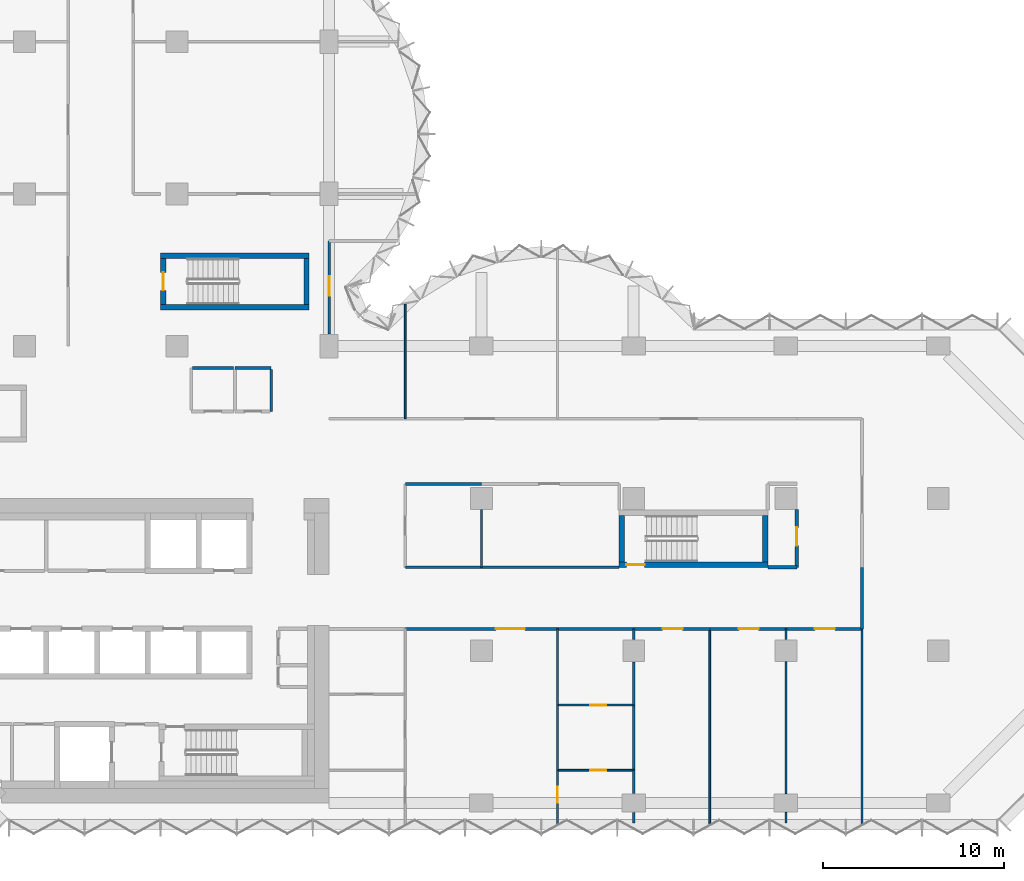
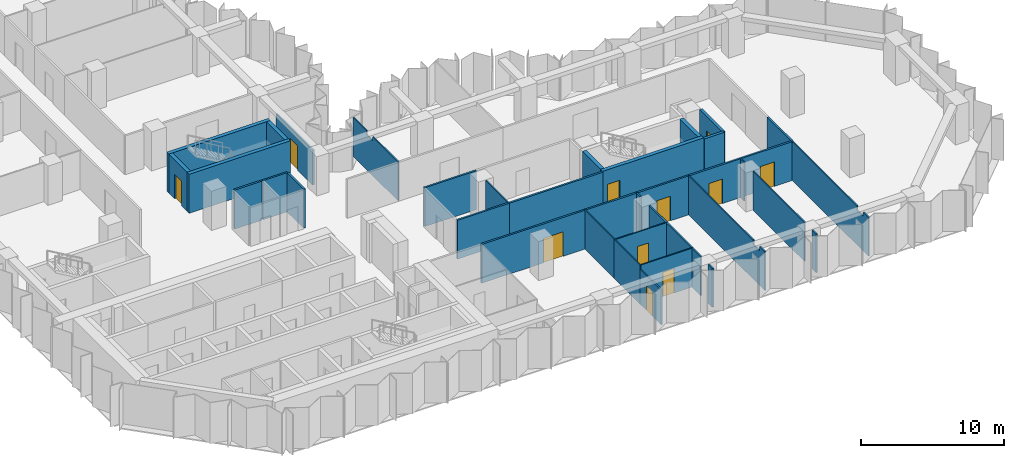
# One storey, part 9 of 13: 39 walls, 11 doors, 11 openings.
"""IFC4 building model written with IfcOpenShell, lengths in metres."""

import ifcopenshell
import ifcopenshell.guid

model = None  # the IFC model being written
_history = None  # IfcOwnerHistory: only IFC2X3 demands one
_inside = {}  # id of a spatial element -> (the spatial element, [elements in it])
_under = {}  # id of a project, library or spatial element -> (it, [spatial elements below it])
_declared = {}  # id of a project -> (the project, [libraries it declares])
_typed = {}  # id of a type object -> (the type object, [elements of that type])
_made_of = {}  # id of a material, layer set ... -> (it, [elements and type objects made of it])


def new_model(schema):
    """Start an empty IFC model of exactly this schema.

    Asked for "IFC4X3", IfcOpenShell would pick the latest addendum, in which some entities
    have other attributes; the version numbers below select the first issue.
    IFC2X3 requires an IfcOwnerHistory on every rooted entity: one is made here for all.
    """
    global model, _history
    if schema == "IFC4X3":
        model = ifcopenshell.file(schema_version=(4, 3, 0, 0))
    else:
        model = ifcopenshell.file(schema=schema)
    _inside.clear()
    _under.clear()
    _declared.clear()
    _typed.clear()
    _made_of.clear()
    _history = None
    if model.schema == "IFC2X3":
        org = make("IfcOrganization", Name="unknown")
        user = make(
            "IfcPersonAndOrganization",
            ThePerson=make("IfcPerson", FamilyName="unknown"),
            TheOrganization=org,
        )
        app = make(
            "IfcApplication",
            ApplicationDeveloper=org,
            Version="unknown",
            ApplicationFullName="unknown",
            ApplicationIdentifier="unknown",
        )
        _history = make(
            "IfcOwnerHistory",
            OwningUser=user,
            OwningApplication=app,
            ChangeAction="ADDED",
            CreationDate=0,
        )
    return model


def make(cls, **values):
    """One entity of the class cls with the attributes given. An attribute that is None is left unset."""
    return model.create_entity(
        cls, **{name: value for name, value in values.items() if value is not None}
    )


def rooted(cls, **values):
    """An entity with a GlobalId (a new one), such as an element, a storey or a relation."""
    return make(cls, GlobalId=ifcopenshell.guid.new(), OwnerHistory=_history, **values)


def si_unit(unit_type, name, prefix=None):
    """IfcSIUnit, for example si_unit("LENGTHUNIT", "METRE", prefix="MILLI")."""
    return make("IfcSIUnit", UnitType=unit_type, Prefix=prefix, Name=name)


def assignment(units):
    """IfcUnitAssignment: the units of a project."""
    return None if units is None else make("IfcUnitAssignment", Units=units)


def point(xyz):
    """IfcCartesianPoint."""
    return None if xyz is None else make("IfcCartesianPoint", Coordinates=xyz)


def direction(xyz):
    """IfcDirection."""
    return None if xyz is None else make("IfcDirection", DirectionRatios=xyz)


def frame(location, z_axis=None, x_axis=None):
    """IfcAxis2Placement3D, a coordinate frame: its origin and axes. An axis left out is left unset."""
    return make(
        "IfcAxis2Placement3D",
        Location=point(location),
        Axis=direction(z_axis),
        RefDirection=direction(x_axis),
    )


def frame_2d(location, x_axis=None):
    """IfcAxis2Placement2D, a coordinate frame in the plane: its origin and x axis."""
    return make(
        "IfcAxis2Placement2D", Location=point(location), RefDirection=direction(x_axis)
    )


def origin():
    """The frame at (0, 0, 0) with its axes left unset."""
    return frame((0.0, 0.0, 0.0))


def place(relative_to, where):
    """IfcLocalPlacement: puts the frame where relative to a parent placement (None: the world)."""
    return make(
        "IfcLocalPlacement", PlacementRelTo=relative_to, RelativePlacement=where
    )


def context(
    kind, dimensions, precision=None, world=None, true_north=None, identifier=None
):
    """IfcGeometricRepresentationContext, for example the 3D "Model" context."""
    return make(
        "IfcGeometricRepresentationContext",
        ContextIdentifier=identifier,
        ContextType=kind,
        CoordinateSpaceDimension=dimensions,
        Precision=precision,
        WorldCoordinateSystem=world,
        TrueNorth=true_north,
    )


def subcontext(parent, identifier, kind, view, scale=None):
    """IfcGeometricRepresentationSubContext, for example "Body" below "Model"."""
    return make(
        "IfcGeometricRepresentationSubContext",
        ContextIdentifier=identifier,
        ContextType=kind,
        ParentContext=parent,
        TargetScale=scale,
        TargetView=view,
    )


def project(units=None, contexts=None):
    """IfcProject with its units and contexts."""
    return rooted(
        "IfcProject",
        Name="project",
        RepresentationContexts=contexts,
        UnitsInContext=assignment(units),
    )


def spatial(cls, under=None, at=None, **own):
    """A site, building, storey or space (cls), placed at a placement, below another one or the project."""
    s = rooted(cls, ObjectPlacement=at, **own)
    if under is not None:
        _under.setdefault(under.id(), (under, []))[1].append(s)
    return s


def polyline(points):
    """IfcPolyline through the points."""
    return make("IfcPolyline", Points=[point(p) for p in points])


def profile(cls, at=None, kind="AREA", **sizes):
    """A parametric profile (cls). Its sizes go by their IFC names, for example OverallWidth=200.0."""
    return make(cls, ProfileType=kind, Position=at, **sizes)


def rectangle(**sizes):
    """IfcRectangleProfileDef."""
    return profile("IfcRectangleProfileDef", **sizes)


def outline(outer, holes=None, kind="AREA"):
    """IfcArbitraryClosedProfileDef: a profile drawn as a closed curve; with holes, ...WithVoids."""
    if holes is None:
        return make("IfcArbitraryClosedProfileDef", ProfileType=kind, OuterCurve=outer)
    return make(
        "IfcArbitraryProfileDefWithVoids",
        ProfileType=kind,
        OuterCurve=outer,
        InnerCurves=holes,
    )


def extrude(swept, where, along, depth):
    """IfcExtrudedAreaSolid: the profile swept, set in the frame where, extruded along a direction by depth."""
    return make(
        "IfcExtrudedAreaSolid",
        SweptArea=swept,
        Position=where,
        ExtrudedDirection=direction(along),
        Depth=depth,
    )


def shape(context_of_items, identifier, shape_type, items):
    """IfcShapeRepresentation: the items that make up one representation, for example the "Body"."""
    return make(
        "IfcShapeRepresentation",
        ContextOfItems=context_of_items,
        RepresentationIdentifier=identifier,
        RepresentationType=shape_type,
        Items=items,
    )


def material(Name=None, Category=None):
    """IfcMaterial."""
    return make("IfcMaterial", Name=Name, Category=Category)


def layer(
    of_material, thickness, ventilated=None, Name=None, Category=None, Priority=None
):
    """IfcMaterialLayer: one layer of a wall or slab, of a material (None: an air gap)."""
    return make(
        "IfcMaterialLayer",
        Material=of_material,
        LayerThickness=thickness,
        IsVentilated=ventilated,
        Name=Name,
        Category=Category,
        Priority=Priority,
    )


def layer_set(layers, Name=None):
    """IfcMaterialLayerSet."""
    return make("IfcMaterialLayerSet", MaterialLayers=layers, LayerSetName=Name)


def made_of(thing, what):
    """Note that an element or type object is made of a material, layer set ...; save() writes the relation."""
    if what is not None:
        _made_of.setdefault(what.id(), (what, []))[1].append(thing)
    return thing


def type_object(cls, material=None, **own):
    """A type object (cls), such as IfcWallType, which elements share."""
    return made_of(rooted(cls, **own), material)


def element(
    cls,
    number,
    at=None,
    inside=None,
    cuts=None,
    type_object=None,
    material=None,
    context=None,
    identifier="Body",
    shape_type=None,
    held_by="IfcProductDefinitionShape",
    body=None,
    shapes=None,
    **own,
):
    """One element of the class cls, such as IfcWall. Its Tag is "e" and its number.

    at: its placement. inside: the storey or other place that contains it. cuts: it is an
    opening in that element (IfcRelVoidsElement). A single representation is given by context,
    identifier, shape_type and body (its items); several are given by shapes. held_by: the class
    of the entity that holds the representations. save() writes the other relations.
    """
    e = rooted(cls, Tag="e%d" % number, ObjectPlacement=at, **own)
    if body is not None:
        shapes = [shape(context, identifier, shape_type, body)]
    if shapes is not None:
        e.Representation = make(held_by, Representations=shapes)
    if inside is not None:
        _inside.setdefault(inside.id(), (inside, []))[1].append(e)
    if cuts is not None:
        rooted(
            "IfcRelVoidsElement", RelatingBuildingElement=cuts, RelatedOpeningElement=e
        )
    if type_object is not None:
        _typed.setdefault(type_object.id(), (type_object, []))[1].append(e)
    return made_of(e, material)


def fill(opening, filler):
    """IfcRelFillsElement: the door or window that sits in an opening."""
    return rooted(
        "IfcRelFillsElement",
        RelatingOpeningElement=opening,
        RelatedBuildingElement=filler,
    )


def aggregate(whole, parts):
    """IfcRelAggregates: a whole, such as a stair, and the parts it consists of."""
    return rooted("IfcRelAggregates", RelatingObject=whole, RelatedObjects=parts)


def save(model, path):
    """Write the relations noted so far, then the file.

    IfcRelAggregates (storeys below a building ...), IfcRelContainedInSpatialStructure (elements
    in a storey), IfcRelDefinesByType, IfcRelAssociatesMaterial and IfcRelDeclares: one each for
    every whole, place, type object, material and project.
    """
    for whole, parts in _under.values():
        aggregate(whole, parts)
    for where, things in _inside.values():
        rooted(
            "IfcRelContainedInSpatialStructure",
            RelatedElements=things,
            RelatingStructure=where,
        )
    for kind, things in _typed.values():
        rooted("IfcRelDefinesByType", RelatedObjects=things, RelatingType=kind)
    for what, things in _made_of.values():
        rooted("IfcRelAssociatesMaterial", RelatedObjects=things, RelatingMaterial=what)
    for by, libraries in _declared.values():
        rooted("IfcRelDeclares", RelatingContext=by, RelatedDefinitions=libraries)
    model.write(path)


model = new_model("IFC4")

# Units and contexts
model_context = context("Model", 3, precision=1e-05, world=origin(), true_north=direction((0.0, 1.0)))
body_context = subcontext(model_context, "Body", "Model", "MODEL_VIEW")
ifc_project = project(units=[si_unit("LENGTHUNIT", "METRE"), si_unit("AREAUNIT", "SQUARE_METRE"), si_unit("VOLUMEUNIT", "CUBIC_METRE"), si_unit("PLANEANGLEUNIT", "RADIAN"), si_unit("MASSUNIT", "GRAM", prefix="KILO")], contexts=[model_context])

# Site, building, storey
site_placement = place(None, origin())
site = spatial("IfcSite", under=ifc_project, at=site_placement, CompositionType="ELEMENT")
building_placement = place(site_placement, origin())
building = spatial("IfcBuilding", under=site, at=building_placement, Name="Brevane Broadcast Tower", CompositionType="ELEMENT")
storey_placement = place(building_placement, frame((0.0, 0.0, 106.10009765625)))
storey = spatial("IfcBuildingStorey", under=building, at=storey_placement, Name="L25", CompositionType="ELEMENT", Elevation=106.10009765625)

# Walls
ifc_material_1 = material(Name="Gypsum board on steel studs", Category="steel")
ifc_layer_1 = layer(ifc_material_1, 0.14990234375)
ifc_layer_set_1 = layer_set([ifc_layer_1], Name="Core fire partition 150 mm")
wall_type_1 = type_object("IfcWallType", Name="Core fire partition 150 mm", PredefinedType="PARTITIONING", material=ifc_layer_set_1)
wall_1_placement = place(storey_placement, frame((20.0, 24.0, 0.0), z_axis=(0.0, 0.0, 1.0), x_axis=(1.0, 0.0, 0.0)))
element("IfcWall", 1, at=wall_1_placement, inside=storey, type_object=wall_type_1, Name="L25 partition wall P15", PredefinedType="PARTITIONING", context=body_context, shape_type="SweptSolid", body=[
    extrude(rectangle(XDim=2.0, YDim=0.14990234375, at=frame_2d((1.0, 0.0))), origin(), (0.0, 0.0, 1.0), 3.349853515625),
])
wall_2_placement = place(storey_placement, frame((22.0, 23.925048828125, 0.0), z_axis=(0.0, 0.0, 1.0), x_axis=(0.0, -1.0, 0.0)))
element("IfcWall", 2, at=wall_2_placement, inside=storey, type_object=wall_type_1, Name="L25 partition wall P16", PredefinedType="PARTITIONING", context=body_context, shape_type="SweptSolid", body=[
    extrude(rectangle(XDim=2.324951171875, YDim=0.14990234375, at=frame_2d((1.16259765625, 0.0))), origin(), (0.0, 0.0, 1.0), 3.349853515625),
])
wall_3_placement = place(storey_placement, frame((17.675048828125, 24.0, 0.0), z_axis=(0.0, 0.0, 1.0), x_axis=(1.0, 0.0, 0.0)))
element("IfcWall", 3, at=wall_3_placement, inside=storey, type_object=wall_type_1, Name="L25 partition wall P21", PredefinedType="PARTITIONING", context=body_context, shape_type="SweptSolid", body=[
    extrude(rectangle(XDim=2.25, YDim=0.14990234375, at=frame_2d((1.125, 0.0))), origin(), (0.0, 0.0, 1.0), 3.349853515625),
])
ifc_material_2 = material(Name="Concrete C60/75", Category="concrete")
ifc_layer_2 = layer(ifc_material_2, 0.300048828125)
ifc_layer_set_2 = layer_set([ifc_layer_2], Name="Core wall 300 mm C60/75")
wall_type_2 = type_object("IfcWallType", Name="Core wall 300 mm C60/75", PredefinedType="SHEAR", material=ifc_layer_set_2)
for number, where, z_axis, x_axis, name in (
    (4, (15.89990234375, 27.35009765625, 0.0), (0.0, 0.0, 1.0), (1.0, 0.0, 0.0), "L25 stair wall ST-3-S"),
    (5, (15.89990234375, 30.199951171875, 0.0), (0.0, 0.0, 1.0), (1.0, 0.0, 0.0), "L25 stair wall ST-3-N"),
):
    element("IfcWall", number, at=place(storey_placement, frame(where, z_axis=z_axis, x_axis=x_axis)), inside=storey, type_object=wall_type_2, Name=name, PredefinedType="SHEAR", context=body_context, shape_type="SweptSolid", body=[
        extrude(rectangle(XDim=8.2001953125, YDim=0.300048828125, at=frame_2d((4.10009765625, 0.0))), origin(), (0.0, 0.0, 1.0), 3.349853515625),
    ])

# Wall, opening, door
wall_4_placement = place(storey_placement, frame((16.050048828125, 27.5, 0.0), z_axis=(0.0, 0.0, 1.0), x_axis=(0.0, 1.0, 0.0)))
wall_4 = element("IfcWall", 6, at=wall_4_placement, inside=storey, type_object=wall_type_2, Name="L25 stair wall ST-3-W", PredefinedType="SHEAR", context=body_context, shape_type="SweptSolid", body=[
    extrude(rectangle(XDim=2.550048828125, YDim=0.300048828125, at=frame_2d((1.27490234375, 0.0))), origin(), (0.0, 0.0, 1.0), 3.349853515625),
])
opening_1_placement = place(wall_4_placement, frame((0.77490234375, 0.0, 0.0)))
opening_1 = element("IfcOpeningElement", 7, at=opening_1_placement, cuts=wall_4, Name="Opening L25-K14", PredefinedType="OPENING", context=body_context, shape_type="SweptSolid", body=[
    extrude(rectangle(XDim=1.0, YDim=2.10009765625, at=frame_2d((0.5, 1.050048828125))), frame((0.0, 0.159912109375, 0.0), z_axis=(0.0, -1.0, 0.0), x_axis=(1.0, 0.0, 0.0)), (0.0, 0.0, 1.0), 0.320068359375),
])
ifc_material_3 = material(Name="Steel", Category="steel")
door_type_1 = type_object("IfcDoorType", Name="Stair door 1000 x 2100", OperationType="SINGLE_SWING_LEFT", PredefinedType="DOOR", material=ifc_material_3)
door_1_placement = place(opening_1_placement, origin())
door_1 = element("IfcDoor", 8, at=door_1_placement, inside=storey, type_object=door_type_1, Name="Door L25-K14", OperationType="SINGLE_SWING_RIGHT", OverallHeight=2.10009765625, OverallWidth=1.0, PredefinedType="DOOR", context=body_context, shape_type="SweptSolid", body=[
    extrude(rectangle(XDim=1.0, YDim=2.10009765625, at=frame_2d((0.5, 1.050048828125))), frame((0.0, 0.02490234375, 0.0), z_axis=(0.0, -1.0, 0.0), x_axis=(1.0, 0.0, 0.0)), (0.0, 0.0, 1.0), 0.050048828125),
])
fill(opening_1, door_1)

# Wall
wall_5_placement = place(storey_placement, frame((23.949951171875, 27.5, 0.0), z_axis=(0.0, 0.0, 1.0), x_axis=(0.0, 1.0, 0.0)))
element("IfcWall", 9, at=wall_5_placement, inside=storey, type_object=wall_type_2, Name="L25 stair wall ST-3-E", PredefinedType="SHEAR", context=body_context, shape_type="SweptSolid", body=[
    extrude(rectangle(XDim=2.550048828125, YDim=0.300048828125, at=frame_2d((1.27490234375, 0.0))), origin(), (0.0, 0.0, 1.0), 3.349853515625),
])

# Wall, opening, door
wall_6_placement = place(storey_placement, frame((49.39990234375, 13.14990234375, 0.0), z_axis=(0.0, 0.0, 1.0), x_axis=(-1.0, 0.0, 0.0)))
wall_6 = element("IfcWall", 10, at=wall_6_placement, inside=storey, type_object=wall_type_2, Name="L25 stair wall ST-4-S", PredefinedType="SHEAR", context=body_context, shape_type="SweptSolid", body=[
    extrude(rectangle(XDim=8.199951171875, YDim=0.300048828125, at=frame_2d((4.10009765625, 0.0))), origin(), (0.0, 0.0, 1.0), 3.349853515625),
])
opening_2_placement = place(wall_6_placement, frame((6.800048828125, 0.0, 0.0)))
opening_2 = element("IfcOpeningElement", 11, at=opening_2_placement, cuts=wall_6, Name="Opening L25-K15", PredefinedType="OPENING", context=body_context, shape_type="SweptSolid", body=[
    extrude(rectangle(XDim=1.0, YDim=2.10009765625, at=frame_2d((0.5, 1.050048828125))), frame((0.0, 0.159912109375, 0.0), z_axis=(0.0, -1.0, 0.0), x_axis=(1.0, 0.0, 0.0)), (0.0, 0.0, 1.0), 0.320068359375),
])
door_2_placement = place(opening_2_placement, origin())
door_2 = element("IfcDoor", 12, at=door_2_placement, inside=storey, type_object=door_type_1, Name="Door L25-K15", OperationType="SINGLE_SWING_LEFT", OverallHeight=2.10009765625, OverallWidth=1.0, PredefinedType="DOOR", context=body_context, shape_type="SweptSolid", body=[
    extrude(rectangle(XDim=1.0, YDim=2.10009765625, at=frame_2d((0.5, 1.050048828125))), frame((0.0, 0.02490234375, 0.0), z_axis=(0.0, -1.0, 0.0), x_axis=(1.0, 0.0, 0.0)), (0.0, 0.0, 1.0), 0.050048828125),
])
fill(opening_2, door_2)

# Walls
for number, where, z_axis, x_axis, name in (
    (13, (41.35009765625, 13.300048828125, 0.0), (0.0, 0.0, 1.0), (0.0, 1.0, 0.0), "L25 stair wall ST-4-W"),
    (14, (49.25, 13.300048828125, 0.0), (0.0, 0.0, 1.0), (0.0, 1.0, 0.0), "L25 stair wall ST-4-E"),
):
    element("IfcWall", number, at=place(storey_placement, frame(where, z_axis=z_axis, x_axis=x_axis)), inside=storey, type_object=wall_type_2, Name=name, PredefinedType="SHEAR", context=body_context, shape_type="SweptSolid", body=[
        extrude(rectangle(XDim=2.550048828125, YDim=0.300048828125, at=frame_2d((1.27490234375, 0.0))), origin(), (0.0, 0.0, 1.0), 3.349853515625),
    ])
ifc_material_4 = material(Name="Gypsum board partition")
ifc_layer_3 = layer(ifc_material_4, 0.10009765625)
ifc_layer_set_3 = layer_set([ifc_layer_3], Name="PARTITION 100 STUD")
wall_type_3 = type_object("IfcWallType", Name="PARTITION 100 STUD", PredefinedType="PARTITIONING", material=ifc_layer_set_3)
wall_7_placement = place(storey_placement, frame((29.39990234375, 27.510986328125, 0.0), z_axis=(0.0, 0.0, 1.0), x_axis=(0.0, -1.0, 0.0)))
element("IfcWall", 15, at=wall_7_placement, inside=storey, type_object=wall_type_3, Name="Partition G07-004", PredefinedType="PARTITIONING", context=body_context, shape_type="SweptSolid", body=[
    extrude(outline(polyline([(0.0, 0.0), (6.31103515625, 0.0), (6.31103515625, 3.329833984375), (2.760986328125, 3.329833984375), (2.759033203125, 2.97998046875), (1.863037109375, 2.97998046875), (1.861083984375, 3.329833984375), (0.236083984375, 3.329833984375), (0.0, 3.329833984375), (0.0, 0.0)])), frame((0.0, 0.050048828125, 0.0), z_axis=(0.0, -1.0, 0.0), x_axis=(1.0, 0.0, 0.0)), (0.0, 0.0, 1.0), 0.10009765625),
])
wall_8_placement = place(storey_placement, frame((54.60009765625, -1.174072265625, 0.0), z_axis=(0.0, 0.0, 1.0), x_axis=(0.0, 1.0, 0.0)))
element("IfcWall", 16, at=wall_8_placement, inside=storey, type_object=wall_type_3, Name="Partition G07-017", PredefinedType="PARTITIONING", context=body_context, shape_type="SweptSolid", body=[
    extrude(outline(polyline([(0.0, 0.0), (10.774169921875, 0.0), (10.77392578125, 3.329833984375), (1.6240234375, 3.329833984375), (1.6220703125, 2.97998046875), (0.72607421875, 2.97998046875), (0.72412109375, 3.329833984375), (0.073974609375, 3.329833984375), (0.0, 3.329833984375), (0.0, 0.0)])), frame((0.0, 0.050048828125, 0.0), z_axis=(0.0, -1.0, 0.0), x_axis=(1.0, 0.0, 0.0)), (0.0, 0.0, 1.0), 0.10009765625),
])
wall_9_placement = place(storey_placement, frame((33.60009765625, 16.179931640625, 0.0), z_axis=(0.0, 0.0, 1.0), x_axis=(0.0, -1.0, 0.0)))
element("IfcWall", 17, at=wall_9_placement, inside=storey, type_object=wall_type_3, Name="Partition G07-027", PredefinedType="PARTITIONING", context=body_context, shape_type="SweptSolid", body=[
    extrude(rectangle(XDim=3.179931640625, YDim=0.10009765625, at=frame_2d((1.58984375, 0.0))), origin(), (0.0, 0.0, 1.0), 3.329833984375),
])

# Wall, opening, door
wall_10_placement = place(storey_placement, frame((37.800048828125, 1.800048828125, 0.0), z_axis=(0.0, 0.0, 1.0), x_axis=(0.0, -1.0, 0.0)))
wall_10 = element("IfcWall", 18, at=wall_10_placement, inside=storey, type_object=wall_type_3, Name="Partition G07-028", PredefinedType="PARTITIONING", context=body_context, shape_type="SweptSolid", body=[
    extrude(rectangle(XDim=2.97412109375, YDim=0.10009765625, at=frame_2d((1.487060546875, 0.0))), origin(), (0.0, 0.0, 1.0), 2.97998046875),
])
opening_3_placement = place(wall_10_placement, frame((0.89990234375, 0.0, 0.0)))
opening_3 = element("IfcOpeningElement", 19, at=opening_3_placement, cuts=wall_10, Name="Opening D14-007", PredefinedType="OPENING", context=body_context, shape_type="SweptSolid", body=[
    extrude(rectangle(XDim=0.89990234375, YDim=2.10009765625, at=frame_2d((0.449951171875, 1.050048828125))), frame((0.0, 0.06005859375, 0.0), z_axis=(0.0, -1.0, 0.0), x_axis=(1.0, 0.0, 0.0)), (0.0, 0.0, 1.0), 0.1201171875),
])
ifc_material_5 = material(Name="Timber door leaf", Category="wood")
door_type_2 = type_object("IfcDoorType", Name="DOOR SINGLE 900 INTERNAL", OperationType="SINGLE_SWING_LEFT", PredefinedType="DOOR", material=ifc_material_5)
door_3_placement = place(opening_3_placement, origin())
door_3 = element("IfcDoor", 20, at=door_3_placement, inside=storey, type_object=door_type_2, Name="Door D14-007", OperationType="SINGLE_SWING_LEFT", OverallHeight=2.10009765625, OverallWidth=0.89990234375, PredefinedType="DOOR", context=body_context, shape_type="SweptSolid", body=[
    extrude(rectangle(XDim=0.89990234375, YDim=2.10009765625, at=frame_2d((0.449951171875, 1.050048828125))), frame((0.0, 0.02490234375, 0.0), z_axis=(0.0, -1.0, 0.0), x_axis=(1.0, 0.0, 0.0)), (0.0, 0.0, 1.0), 0.050048828125),
])
fill(opening_3, door_3)

# Walls
wall_11_placement = place(storey_placement, frame((37.800048828125, 5.39990234375, 0.0), z_axis=(0.0, 0.0, 1.0), x_axis=(0.0, -1.0, 0.0)))
element("IfcWall", 21, at=wall_11_placement, inside=storey, type_object=wall_type_3, Name="Partition G07-029", PredefinedType="PARTITIONING", context=body_context, shape_type="SweptSolid", body=[
    extrude(rectangle(XDim=3.599853515625, YDim=0.10009765625, at=frame_2d((1.7998046875, 0.0))), origin(), (0.0, 0.0, 1.0), 3.329833984375),
])
wall_12_placement = place(storey_placement, frame((37.800048828125, 9.60009765625, 0.0), z_axis=(0.0, 0.0, 1.0), x_axis=(0.0, -1.0, 0.0)))
element("IfcWall", 22, at=wall_12_placement, inside=storey, type_object=wall_type_3, Name="Partition G07-030", PredefinedType="PARTITIONING", context=body_context, shape_type="SweptSolid", body=[
    extrude(rectangle(XDim=4.2001953125, YDim=0.10009765625, at=frame_2d((2.10009765625, 0.0))), origin(), (0.0, 0.0, 1.0), 3.329833984375),
])

# Wall, opening, door
wall_13_placement = place(storey_placement, frame((37.800048828125, 1.800048828125, 0.0), z_axis=(0.0, 0.0, 1.0), x_axis=(1.0, 0.0, 0.0)))
wall_13 = element("IfcWall", 23, at=wall_13_placement, inside=storey, type_object=wall_type_3, Name="Partition G07-034", PredefinedType="PARTITIONING", context=body_context, shape_type="SweptSolid", body=[
    extrude(rectangle(XDim=4.199951171875, YDim=0.10009765625, at=frame_2d((2.10009765625, 0.0))), origin(), (0.0, 0.0, 1.0), 3.329833984375),
])
opening_4_placement = place(wall_13_placement, frame((1.800048828125, 0.0, 0.0)))
opening_4 = element("IfcOpeningElement", 24, at=opening_4_placement, cuts=wall_13, Name="Opening D14-008", PredefinedType="OPENING", context=body_context, shape_type="SweptSolid", body=[
    extrude(rectangle(XDim=0.89990234375, YDim=2.10009765625, at=frame_2d((0.449951171875, 1.050048828125))), frame((0.0, 0.06005859375, 0.0), z_axis=(0.0, -1.0, 0.0), x_axis=(1.0, 0.0, 0.0)), (0.0, 0.0, 1.0), 0.1201171875),
])
door_4_placement = place(opening_4_placement, origin())
door_4 = element("IfcDoor", 25, at=door_4_placement, inside=storey, type_object=door_type_2, Name="Door D14-008", OperationType="SINGLE_SWING_LEFT", OverallHeight=2.10009765625, OverallWidth=0.89990234375, PredefinedType="DOOR", context=body_context, shape_type="SweptSolid", body=[
    extrude(rectangle(XDim=0.89990234375, YDim=2.10009765625, at=frame_2d((0.449951171875, 1.050048828125))), frame((0.0, 0.02490234375, 0.0), z_axis=(0.0, -1.0, 0.0), x_axis=(1.0, 0.0, 0.0)), (0.0, 0.0, 1.0), 0.050048828125),
])
fill(opening_4, door_4)

wall_14_placement = place(storey_placement, frame((37.800048828125, 5.39990234375, 0.0), z_axis=(0.0, 0.0, 1.0), x_axis=(1.0, 0.0, 0.0)))
wall_14 = element("IfcWall", 26, at=wall_14_placement, inside=storey, type_object=wall_type_3, Name="Partition G07-037", PredefinedType="PARTITIONING", context=body_context, shape_type="SweptSolid", body=[
    extrude(rectangle(XDim=4.199951171875, YDim=0.10009765625, at=frame_2d((2.10009765625, 0.0))), origin(), (0.0, 0.0, 1.0), 3.329833984375),
])
opening_5_placement = place(wall_14_placement, frame((1.800048828125, 0.0, 0.0)))
opening_5 = element("IfcOpeningElement", 27, at=opening_5_placement, cuts=wall_14, Name="Opening D14-009", PredefinedType="OPENING", context=body_context, shape_type="SweptSolid", body=[
    extrude(rectangle(XDim=0.89990234375, YDim=2.10009765625, at=frame_2d((0.449951171875, 1.050048828125))), frame((0.0, 0.06005859375, 0.0), z_axis=(0.0, -1.0, 0.0), x_axis=(1.0, 0.0, 0.0)), (0.0, 0.0, 1.0), 0.1201171875),
])
door_5_placement = place(opening_5_placement, origin())
door_5 = element("IfcDoor", 28, at=door_5_placement, inside=storey, type_object=door_type_2, Name="Door D14-009", OperationType="SINGLE_SWING_LEFT", OverallHeight=2.10009765625, OverallWidth=0.89990234375, PredefinedType="DOOR", context=body_context, shape_type="SweptSolid", body=[
    extrude(rectangle(XDim=0.89990234375, YDim=2.10009765625, at=frame_2d((0.449951171875, 1.050048828125))), frame((0.0, 0.02490234375, 0.0), z_axis=(0.0, -1.0, 0.0), x_axis=(1.0, 0.0, 0.0)), (0.0, 0.0, 1.0), 0.050048828125),
])
fill(opening_5, door_5)

# Walls
wall_15_placement = place(storey_placement, frame((46.199951171875, 9.60009765625, 0.0), z_axis=(0.0, 0.0, 1.0), x_axis=(0.0, -1.0, 0.0)))
element("IfcWall", 29, at=wall_15_placement, inside=storey, type_object=wall_type_3, Name="Partition G07-043", PredefinedType="PARTITIONING", context=body_context, shape_type="SweptSolid", body=[
    extrude(outline(polyline([(0.0, 0.0), (10.774169921875, 0.0), (10.77392578125, 3.329833984375), (10.699951171875, 3.329833984375), (10.050048828125, 3.329833984375), (10.048095703125, 2.97998046875), (9.152099609375, 2.97998046875), (9.14990234375, 3.329833984375), (0.0, 3.329833984375), (0.0, 0.0)])), frame((0.0, 0.050048828125, 0.0), z_axis=(0.0, -1.0, 0.0), x_axis=(1.0, 0.0, 0.0)), (0.0, 0.0, 1.0), 0.10009765625),
])
wall_16_placement = place(storey_placement, frame((50.39990234375, 9.60009765625, 0.0), z_axis=(0.0, 0.0, 1.0), x_axis=(0.0, -1.0, 0.0)))
element("IfcWall", 30, at=wall_16_placement, inside=storey, type_object=wall_type_3, Name="Partition G07-044", PredefinedType="PARTITIONING", context=body_context, shape_type="SweptSolid", body=[
    extrude(rectangle(XDim=0.580078125, YDim=0.10009765625, at=frame_2d((0.2900390625, 0.0))), origin(), (0.0, 0.0, 1.0), 3.329833984375),
])
wall_17_placement = place(storey_placement, frame((50.39990234375, 7.780029296875, 0.0), z_axis=(0.0, 0.0, 1.0), x_axis=(0.0, -1.0, 0.0)))
element("IfcWall", 31, at=wall_17_placement, inside=storey, type_object=wall_type_3, Name="Partition G07-045", PredefinedType="PARTITIONING", context=body_context, shape_type="SweptSolid", body=[
    extrude(rectangle(XDim=7.260009765625, YDim=0.10009765625, at=frame_2d((3.6298828125, 0.0))), origin(), (0.0, 0.0, 1.0), 3.329833984375),
])
wall_18_placement = place(storey_placement, frame((50.39990234375, -0.52001953125, 0.0), z_axis=(0.0, 0.0, 1.0), x_axis=(0.0, -1.0, 0.0)))
element("IfcWall", 32, at=wall_18_placement, inside=storey, type_object=wall_type_3, Name="Partition G07-046", PredefinedType="PARTITIONING", context=body_context, shape_type="SweptSolid", body=[
    extrude(rectangle(XDim=0.580078125, YDim=0.10009765625, at=frame_2d((0.2900390625, 0.0))), origin(), (0.0, 0.0, 1.0), 3.329833984375),
])
ifc_layer_4 = layer(ifc_material_4, 0.125)
ifc_layer_set_4 = layer_set([ifc_layer_4], Name="PARTITION 125 ACOUSTIC")
wall_type_4 = type_object("IfcWallType", Name="PARTITION 125 ACOUSTIC", PredefinedType="PARTITIONING", material=ifc_layer_set_4)
wall_19_placement = place(storey_placement, frame((42.0, 1.800048828125, 0.0), z_axis=(0.0, 0.0, 1.0), x_axis=(0.0, -1.0, 0.0)))
element("IfcWall", 33, at=wall_19_placement, inside=storey, type_object=wall_type_4, Name="Partition G07-035", PredefinedType="PARTITIONING", context=body_context, shape_type="SweptSolid", body=[
    extrude(rectangle(XDim=1.280029296875, YDim=0.125, at=frame_2d((0.64013671875, 0.0))), origin(), (0.0, 0.0, 1.0), 3.329833984375),
])
wall_20_placement = place(storey_placement, frame((42.0, -0.52001953125, 0.0), z_axis=(0.0, 0.0, 1.0), x_axis=(0.0, -1.0, 0.0)))
element("IfcWall", 34, at=wall_20_placement, inside=storey, type_object=wall_type_4, Name="Partition G07-036", PredefinedType="PARTITIONING", context=body_context, shape_type="SweptSolid", body=[
    extrude(rectangle(XDim=0.580078125, YDim=0.125, at=frame_2d((0.2900390625, 0.0))), origin(), (0.0, 0.0, 1.0), 3.329833984375),
])
wall_21_placement = place(storey_placement, frame((42.0, 5.39990234375, 0.0), z_axis=(0.0, 0.0, 1.0), x_axis=(0.0, -1.0, 0.0)))
element("IfcWall", 35, at=wall_21_placement, inside=storey, type_object=wall_type_4, Name="Partition G07-038", PredefinedType="PARTITIONING", context=body_context, shape_type="SweptSolid", body=[
    extrude(rectangle(XDim=3.599853515625, YDim=0.125, at=frame_2d((1.7998046875, 0.0))), origin(), (0.0, 0.0, 1.0), 3.329833984375),
])
wall_22_placement = place(storey_placement, frame((42.0, 9.60009765625, 0.0), z_axis=(0.0, 0.0, 1.0), x_axis=(0.0, -1.0, 0.0)))
element("IfcWall", 36, at=wall_22_placement, inside=storey, type_object=wall_type_4, Name="Partition G07-039", PredefinedType="PARTITIONING", context=body_context, shape_type="SweptSolid", body=[
    extrude(rectangle(XDim=0.580078125, YDim=0.125, at=frame_2d((0.2900390625, 0.0))), origin(), (0.0, 0.0, 1.0), 3.329833984375),
])
wall_23_placement = place(storey_placement, frame((42.0, 7.780029296875, 0.0), z_axis=(0.0, 0.0, 1.0), x_axis=(0.0, -1.0, 0.0)))
element("IfcWall", 37, at=wall_23_placement, inside=storey, type_object=wall_type_4, Name="Partition G07-040", PredefinedType="PARTITIONING", context=body_context, shape_type="SweptSolid", body=[
    extrude(rectangle(XDim=2.380126953125, YDim=0.125, at=frame_2d((1.18994140625, 0.0))), origin(), (0.0, 0.0, 1.0), 3.329833984375),
])

# Wall, opening, door
ifc_layer_5 = layer(ifc_material_4, 0.14990234375)
ifc_layer_set_5 = layer_set([ifc_layer_5], Name="PARTITION 150 EI 60")
wall_type_5 = type_object("IfcWallType", Name="PARTITION 150 EI 60", PredefinedType="PARTITIONING", material=ifc_layer_set_5)
wall_24_placement = place(storey_placement, frame((25.199951171875, 31.0, 0.0), z_axis=(0.0, 0.0, 1.0), x_axis=(0.0, -1.0, 0.0)))
wall_24 = element("IfcWall", 38, at=wall_24_placement, inside=storey, type_object=wall_type_5, Name="Partition G07-005", PredefinedType="PARTITIONING", context=body_context, shape_type="SweptSolid", body=[
    extrude(outline(polyline([(0.0, 0.0), (5.1298828125, 0.0), (5.1298828125, 2.97998046875), (0.0, 2.97998046875), (0.0, 0.0)])), frame((0.0, 0.074951171875, 0.0), z_axis=(0.0, -1.0, 0.0), x_axis=(1.0, 0.0, 0.0)), (0.0, 0.0, 1.0), 0.14990234375),
])
opening_6_placement = place(wall_24_placement, frame((1.929931640625, 0.0, 0.0)))
opening_6 = element("IfcOpeningElement", 39, at=opening_6_placement, cuts=wall_24, Name="Opening D14-001", PredefinedType="OPENING", context=body_context, shape_type="SweptSolid", body=[
    extrude(rectangle(XDim=1.10009765625, YDim=2.10009765625, at=frame_2d((0.550048828125, 1.050048828125))), frame((0.0, 0.0849609375, 0.0), z_axis=(0.0, -1.0, 0.0), x_axis=(1.0, 0.0, 0.0)), (0.0, 0.0, 1.0), 0.169921875),
])
ifc_material_6 = material(Name="Fire-rated timber door leaf", Category="wood")
door_type_3 = type_object("IfcDoorType", Name="DOOR SINGLE 1100 FD30S", OperationType="SINGLE_SWING_LEFT", PredefinedType="DOOR", material=ifc_material_6)
door_6_placement = place(opening_6_placement, origin())
door_6 = element("IfcDoor", 40, at=door_6_placement, inside=storey, type_object=door_type_3, Name="Door D14-001", OperationType="SINGLE_SWING_RIGHT", OverallHeight=2.10009765625, OverallWidth=1.10009765625, PredefinedType="DOOR", context=body_context, shape_type="SweptSolid", body=[
    extrude(rectangle(XDim=1.10009765625, YDim=2.10009765625, at=frame_2d((0.550048828125, 1.050048828125))), frame((0.0, 0.02490234375, 0.0), z_axis=(0.0, -1.0, 0.0), x_axis=(1.0, 0.0, 0.0)), (0.0, 0.0, 1.0), 0.050048828125),
])
fill(opening_6, door_6)

# Walls
wall_25_placement = place(storey_placement, frame((54.60009765625, 13.0, 0.0), z_axis=(0.0, 0.0, 1.0), x_axis=(0.0, -1.0, 0.0)))
element("IfcWall", 41, at=wall_25_placement, inside=storey, type_object=wall_type_5, Name="Partition G07-007", PredefinedType="PARTITIONING", context=body_context, shape_type="SweptSolid", body=[
    extrude(rectangle(XDim=3.39990234375, YDim=0.14990234375, at=frame_2d((1.699951171875, 0.0))), origin(), (0.0, 0.0, 1.0), 3.329833984375),
])
wall_26_placement = place(storey_placement, frame((29.39990234375, 13.0, 0.0), z_axis=(0.0, 0.0, 1.0), x_axis=(1.0, 0.0, 0.0)))
element("IfcWall", 42, at=wall_26_placement, inside=storey, type_object=wall_type_5, Name="Partition G07-008", PredefinedType="PARTITIONING", context=body_context, shape_type="SweptSolid", body=[
    extrude(rectangle(XDim=4.2001953125, YDim=0.14990234375, at=frame_2d((2.10009765625, 0.0))), origin(), (0.0, 0.0, 1.0), 3.329833984375),
])
wall_27_placement = place(storey_placement, frame((33.60009765625, 13.0, 0.0), z_axis=(0.0, 0.0, 1.0), x_axis=(1.0, 0.0, 0.0)))
element("IfcWall", 43, at=wall_27_placement, inside=storey, type_object=wall_type_5, Name="Partition G07-009", PredefinedType="PARTITIONING", context=body_context, shape_type="SweptSolid", body=[
    extrude(rectangle(XDim=7.599853515625, YDim=0.14990234375, at=frame_2d((3.7998046875, 0.0))), origin(), (0.0, 0.0, 1.0), 3.329833984375),
])

# Wall, opening, door
wall_28_placement = place(storey_placement, frame((37.800048828125, 9.60009765625, 0.0), z_axis=(0.0, 0.0, 1.0), x_axis=(-1.0, 0.0, 0.0)))
wall_28 = element("IfcWall", 44, at=wall_28_placement, inside=storey, type_object=wall_type_5, Name="Partition G07-011", PredefinedType="PARTITIONING", context=body_context, shape_type="SweptSolid", body=[
    extrude(rectangle(XDim=8.400146484375, YDim=0.14990234375, at=frame_2d((4.2001953125, 0.0))), origin(), (0.0, 0.0, 1.0), 3.329833984375),
])
opening_7_placement = place(wall_28_placement, frame((1.800048828125, 0.0, 0.0)))
opening_7 = element("IfcOpeningElement", 45, at=opening_7_placement, cuts=wall_28, Name="Opening D14-006", PredefinedType="OPENING", context=body_context, shape_type="SweptSolid", body=[
    extrude(rectangle(XDim=1.60009765625, YDim=2.10009765625, at=frame_2d((0.800048828125, 1.050048828125))), frame((0.0, 0.0849609375, 0.0), z_axis=(0.0, -1.0, 0.0), x_axis=(1.0, 0.0, 0.0)), (0.0, 0.0, 1.0), 0.169921875),
])
door_type_4 = type_object("IfcDoorType", Name="DOOR DOUBLE 1600 FD30S", OperationType="DOUBLE_DOOR_SINGLE_SWING", PredefinedType="DOOR", material=ifc_material_6)
door_7_placement = place(opening_7_placement, origin())
door_7 = element("IfcDoor", 46, at=door_7_placement, inside=storey, type_object=door_type_4, Name="Door D14-006", OperationType="DOUBLE_DOOR_SINGLE_SWING", OverallHeight=2.10009765625, OverallWidth=1.60009765625, PredefinedType="DOOR", context=body_context, shape_type="SweptSolid", body=[
    extrude(rectangle(XDim=1.60009765625, YDim=2.10009765625, at=frame_2d((0.800048828125, 1.050048828125))), frame((0.0, 0.02490234375, 0.0), z_axis=(0.0, -1.0, 0.0), x_axis=(1.0, 0.0, 0.0)), (0.0, 0.0, 1.0), 0.050048828125),
])
fill(opening_7, door_7)

# Wall
wall_29_placement = place(storey_placement, frame((42.0, 9.60009765625, 0.0), z_axis=(0.0, 0.0, 1.0), x_axis=(-1.0, 0.0, 0.0)))
element("IfcWall", 47, at=wall_29_placement, inside=storey, type_object=wall_type_5, Name="Partition G07-012", PredefinedType="PARTITIONING", context=body_context, shape_type="SweptSolid", body=[
    extrude(rectangle(XDim=4.199951171875, YDim=0.14990234375, at=frame_2d((2.10009765625, 0.0))), origin(), (0.0, 0.0, 1.0), 3.329833984375),
])

# Wall, opening, door
wall_30_placement = place(storey_placement, frame((46.199951171875, 9.60009765625, 0.0), z_axis=(0.0, 0.0, 1.0), x_axis=(-1.0, 0.0, 0.0)))
wall_30 = element("IfcWall", 48, at=wall_30_placement, inside=storey, type_object=wall_type_5, Name="Partition G07-013", PredefinedType="PARTITIONING", context=body_context, shape_type="SweptSolid", body=[
    extrude(rectangle(XDim=4.199951171875, YDim=0.14990234375, at=frame_2d((2.10009765625, 0.0))), origin(), (0.0, 0.0, 1.0), 3.329833984375),
])
opening_8_placement = place(wall_30_placement, frame((1.5, 0.0, 0.0)))
opening_8 = element("IfcOpeningElement", 49, at=opening_8_placement, cuts=wall_30, Name="Opening D14-013", PredefinedType="OPENING", context=body_context, shape_type="SweptSolid", body=[
    extrude(rectangle(XDim=1.10009765625, YDim=2.10009765625, at=frame_2d((0.550048828125, 1.050048828125))), frame((0.0, 0.0849609375, 0.0), z_axis=(0.0, -1.0, 0.0), x_axis=(1.0, 0.0, 0.0)), (0.0, 0.0, 1.0), 0.169921875),
])
door_8_placement = place(opening_8_placement, origin())
door_8 = element("IfcDoor", 50, at=door_8_placement, inside=storey, type_object=door_type_3, Name="Door D14-013", OperationType="SINGLE_SWING_LEFT", OverallHeight=2.10009765625, OverallWidth=1.10009765625, PredefinedType="DOOR", context=body_context, shape_type="SweptSolid", body=[
    extrude(rectangle(XDim=1.10009765625, YDim=2.10009765625, at=frame_2d((0.550048828125, 1.050048828125))), frame((0.0, 0.02490234375, 0.0), z_axis=(0.0, -1.0, 0.0), x_axis=(1.0, 0.0, 0.0)), (0.0, 0.0, 1.0), 0.050048828125),
])
fill(opening_8, door_8)

wall_31_placement = place(storey_placement, frame((50.39990234375, 9.60009765625, 0.0), z_axis=(0.0, 0.0, 1.0), x_axis=(-1.0, 0.0, 0.0)))
wall_31 = element("IfcWall", 51, at=wall_31_placement, inside=storey, type_object=wall_type_5, Name="Partition G07-014", PredefinedType="PARTITIONING", context=body_context, shape_type="SweptSolid", body=[
    extrude(rectangle(XDim=4.199951171875, YDim=0.14990234375, at=frame_2d((2.10009765625, 0.0))), origin(), (0.0, 0.0, 1.0), 3.329833984375),
])
opening_9_placement = place(wall_31_placement, frame((1.5, 0.0, 0.0)))
opening_9 = element("IfcOpeningElement", 52, at=opening_9_placement, cuts=wall_31, Name="Opening D14-014", PredefinedType="OPENING", context=body_context, shape_type="SweptSolid", body=[
    extrude(rectangle(XDim=1.10009765625, YDim=2.10009765625, at=frame_2d((0.550048828125, 1.050048828125))), frame((0.0, 0.0849609375, 0.0), z_axis=(0.0, -1.0, 0.0), x_axis=(1.0, 0.0, 0.0)), (0.0, 0.0, 1.0), 0.169921875),
])
door_9_placement = place(opening_9_placement, origin())
door_9 = element("IfcDoor", 53, at=door_9_placement, inside=storey, type_object=door_type_3, Name="Door D14-014", OperationType="SINGLE_SWING_LEFT", OverallHeight=2.10009765625, OverallWidth=1.10009765625, PredefinedType="DOOR", context=body_context, shape_type="SweptSolid", body=[
    extrude(rectangle(XDim=1.10009765625, YDim=2.10009765625, at=frame_2d((0.550048828125, 1.050048828125))), frame((0.0, 0.02490234375, 0.0), z_axis=(0.0, -1.0, 0.0), x_axis=(1.0, 0.0, 0.0)), (0.0, 0.0, 1.0), 0.050048828125),
])
fill(opening_9, door_9)

wall_32_placement = place(storey_placement, frame((54.60009765625, 9.60009765625, 0.0), z_axis=(0.0, 0.0, 1.0), x_axis=(-1.0, 0.0, 0.0)))
wall_32 = element("IfcWall", 54, at=wall_32_placement, inside=storey, type_object=wall_type_5, Name="Partition G07-015", PredefinedType="PARTITIONING", context=body_context, shape_type="SweptSolid", body=[
    extrude(rectangle(XDim=4.2001953125, YDim=0.14990234375, at=frame_2d((2.10009765625, 0.0))), origin(), (0.0, 0.0, 1.0), 3.329833984375),
])
opening_10_placement = place(wall_32_placement, frame((1.5, 0.0, 0.0)))
opening_10 = element("IfcOpeningElement", 55, at=opening_10_placement, cuts=wall_32, Name="Opening D14-015", PredefinedType="OPENING", context=body_context, shape_type="SweptSolid", body=[
    extrude(rectangle(XDim=1.10009765625, YDim=2.10009765625, at=frame_2d((0.550048828125, 1.050048828125))), frame((0.0, 0.0849609375, 0.0), z_axis=(0.0, -1.0, 0.0), x_axis=(1.0, 0.0, 0.0)), (0.0, 0.0, 1.0), 0.169921875),
])
door_10_placement = place(opening_10_placement, origin())
door_10 = element("IfcDoor", 56, at=door_10_placement, inside=storey, type_object=door_type_3, Name="Door D14-015", OperationType="SINGLE_SWING_LEFT", OverallHeight=2.10009765625, OverallWidth=1.10009765625, PredefinedType="DOOR", context=body_context, shape_type="SweptSolid", body=[
    extrude(rectangle(XDim=1.10009765625, YDim=2.10009765625, at=frame_2d((0.550048828125, 1.050048828125))), frame((0.0, 0.02490234375, 0.0), z_axis=(0.0, -1.0, 0.0), x_axis=(1.0, 0.0, 0.0)), (0.0, 0.0, 1.0), 0.050048828125),
])
fill(opening_10, door_10)

# Walls
wall_33_placement = place(storey_placement, frame((33.60009765625, 17.60009765625, 0.0), z_axis=(0.0, 0.0, 1.0), x_axis=(-1.0, 0.0, 0.0)))
element("IfcWall", 57, at=wall_33_placement, inside=storey, type_object=wall_type_5, Name="Partition G07-018", PredefinedType="PARTITIONING", context=body_context, shape_type="SweptSolid", body=[
    extrude(rectangle(XDim=4.2001953125, YDim=0.14990234375, at=frame_2d((2.10009765625, 0.0))), origin(), (0.0, 0.0, 1.0), 3.329833984375),
])
ifc_layer_6 = layer(ifc_material_4, 0.199951171875)
ifc_layer_set_6 = layer_set([ifc_layer_6], Name="PARTITION 200 EI 120")
wall_type_6 = type_object("IfcWallType", Name="PARTITION 200 EI 120", PredefinedType="PARTITIONING", material=ifc_layer_set_6)
wall_34_placement = place(storey_placement, frame((49.39990234375, 13.0, 0.0), z_axis=(0.0, 0.0, 1.0), x_axis=(1.0, 0.0, 0.0)))
element("IfcWall", 58, at=wall_34_placement, inside=storey, type_object=wall_type_6, Name="Partition G07-010", PredefinedType="PARTITIONING", context=body_context, shape_type="SweptSolid", body=[
    extrude(rectangle(XDim=1.60009765625, YDim=0.199951171875, at=frame_2d((0.800048828125, 0.0))), origin(), (0.0, 0.0, 1.0), 3.329833984375),
])

# Wall, opening, door
wall_35_placement = place(storey_placement, frame((51.0, 13.0, 0.0), z_axis=(0.0, 0.0, 1.0), x_axis=(0.0, 1.0, 0.0)))
wall_35 = element("IfcWall", 59, at=wall_35_placement, inside=storey, type_object=wall_type_6, Name="Partition G07-025", PredefinedType="PARTITIONING", context=body_context, shape_type="SweptSolid", body=[
    extrude(rectangle(XDim=3.179931640625, YDim=0.199951171875, at=frame_2d((1.58984375, 0.0))), origin(), (0.0, 0.0, 1.0), 3.329833984375),
])
opening_11_placement = place(wall_35_placement, frame((1.199951171875, 0.0, 0.0)))
opening_11 = element("IfcOpeningElement", 60, at=opening_11_placement, cuts=wall_35, Name="Opening D14-005", PredefinedType="OPENING", context=body_context, shape_type="SweptSolid", body=[
    extrude(rectangle(XDim=1.0, YDim=2.10009765625, at=frame_2d((0.5, 1.050048828125))), frame((0.0, 0.10986328125, 0.0), z_axis=(0.0, -1.0, 0.0), x_axis=(1.0, 0.0, 0.0)), (0.0, 0.0, 1.0), 0.219970703125),
])
door_type_5 = type_object("IfcDoorType", Name="DOOR SINGLE 1000 FD60", OperationType="SINGLE_SWING_LEFT", PredefinedType="DOOR", material=ifc_material_6)
door_11_placement = place(opening_11_placement, origin())
door_11 = element("IfcDoor", 61, at=door_11_placement, inside=storey, type_object=door_type_5, Name="Door D14-005", OperationType="SINGLE_SWING_LEFT", OverallHeight=2.10009765625, OverallWidth=1.0, PredefinedType="DOOR", context=body_context, shape_type="SweptSolid", body=[
    extrude(rectangle(XDim=1.0, YDim=2.10009765625, at=frame_2d((0.5, 1.050048828125))), frame((0.0, 0.02490234375, 0.0), z_axis=(0.0, -1.0, 0.0), x_axis=(1.0, 0.0, 0.0)), (0.0, 0.0, 1.0), 0.050048828125),
])
fill(opening_11, door_11)

save(model, "model.ifc")
